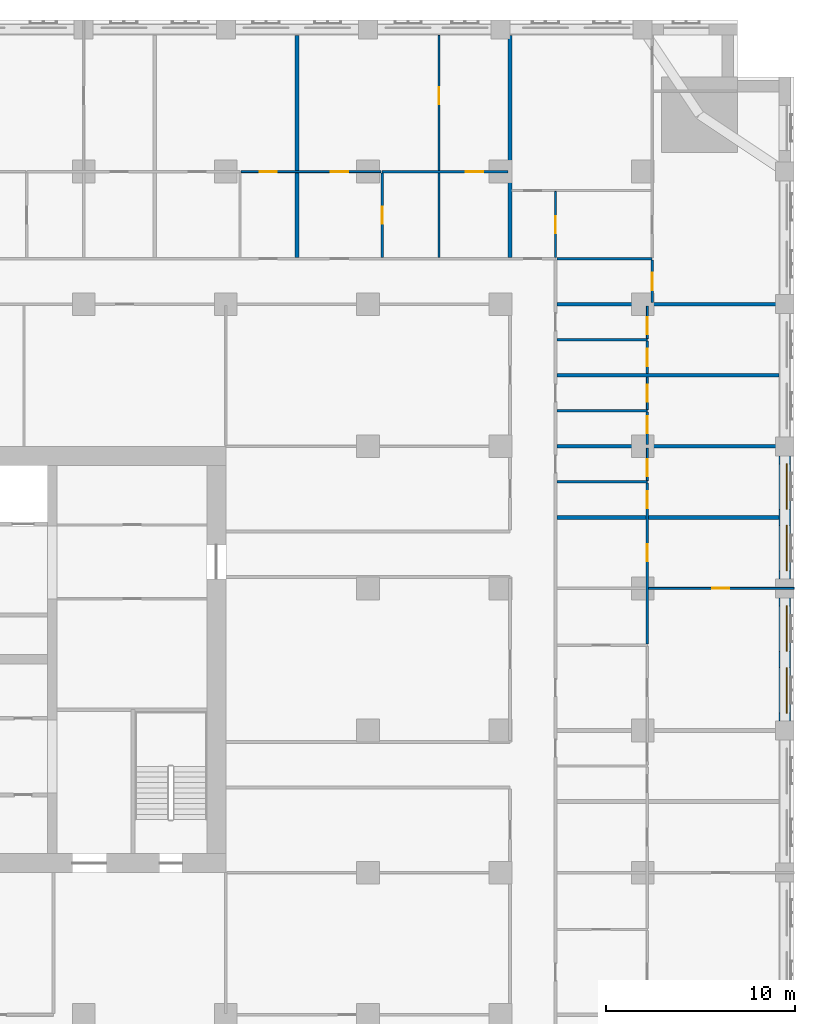
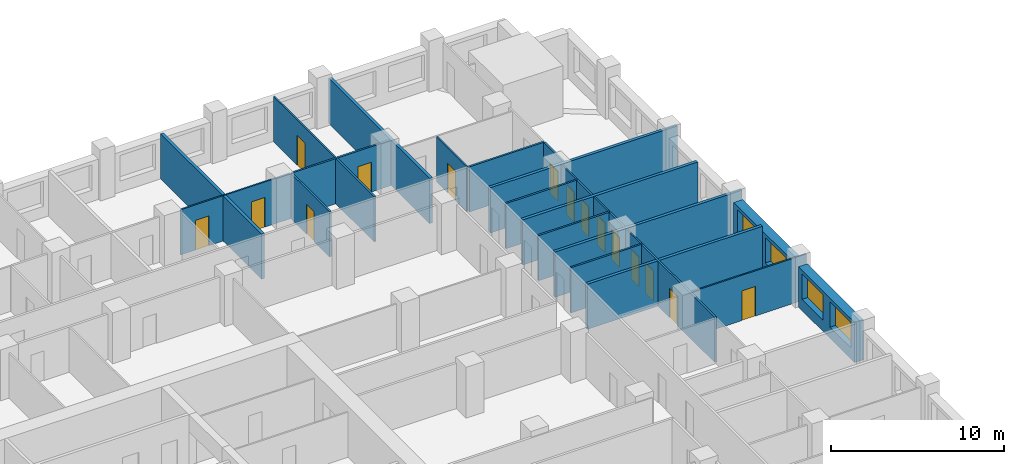
# One storey, part 10 of 14: 26 walls, 15 doors, 4 windows, 19 openings.
"""IFC4 building model written with IfcOpenShell, lengths in metres."""

import ifcopenshell
import ifcopenshell.guid

model = None  # the IFC model being written
_history = None  # IfcOwnerHistory: only IFC2X3 demands one
_inside = {}  # id of a spatial element -> (the spatial element, [elements in it])
_under = {}  # id of a project, library or spatial element -> (it, [spatial elements below it])
_declared = {}  # id of a project -> (the project, [libraries it declares])
_typed = {}  # id of a type object -> (the type object, [elements of that type])
_made_of = {}  # id of a material, layer set ... -> (it, [elements and type objects made of it])


def new_model(schema):
    """Start an empty IFC model of exactly this schema.

    Asked for "IFC4X3", IfcOpenShell would pick the latest addendum, in which some entities
    have other attributes; the version numbers below select the first issue.
    IFC2X3 requires an IfcOwnerHistory on every rooted entity: one is made here for all.
    """
    global model, _history
    if schema == "IFC4X3":
        model = ifcopenshell.file(schema_version=(4, 3, 0, 0))
    else:
        model = ifcopenshell.file(schema=schema)
    _inside.clear()
    _under.clear()
    _declared.clear()
    _typed.clear()
    _made_of.clear()
    _history = None
    if model.schema == "IFC2X3":
        org = make("IfcOrganization", Name="unknown")
        user = make(
            "IfcPersonAndOrganization",
            ThePerson=make("IfcPerson", FamilyName="unknown"),
            TheOrganization=org,
        )
        app = make(
            "IfcApplication",
            ApplicationDeveloper=org,
            Version="unknown",
            ApplicationFullName="unknown",
            ApplicationIdentifier="unknown",
        )
        _history = make(
            "IfcOwnerHistory",
            OwningUser=user,
            OwningApplication=app,
            ChangeAction="ADDED",
            CreationDate=0,
        )
    return model


def make(cls, **values):
    """One entity of the class cls with the attributes given. An attribute that is None is left unset."""
    return model.create_entity(
        cls, **{name: value for name, value in values.items() if value is not None}
    )


def rooted(cls, **values):
    """An entity with a GlobalId (a new one), such as an element, a storey or a relation."""
    return make(cls, GlobalId=ifcopenshell.guid.new(), OwnerHistory=_history, **values)


def si_unit(unit_type, name, prefix=None):
    """IfcSIUnit, for example si_unit("LENGTHUNIT", "METRE", prefix="MILLI")."""
    return make("IfcSIUnit", UnitType=unit_type, Prefix=prefix, Name=name)


def assignment(units):
    """IfcUnitAssignment: the units of a project."""
    return None if units is None else make("IfcUnitAssignment", Units=units)


def point(xyz):
    """IfcCartesianPoint."""
    return None if xyz is None else make("IfcCartesianPoint", Coordinates=xyz)


def direction(xyz):
    """IfcDirection."""
    return None if xyz is None else make("IfcDirection", DirectionRatios=xyz)


def frame(location, z_axis=None, x_axis=None):
    """IfcAxis2Placement3D, a coordinate frame: its origin and axes. An axis left out is left unset."""
    return make(
        "IfcAxis2Placement3D",
        Location=point(location),
        Axis=direction(z_axis),
        RefDirection=direction(x_axis),
    )


def frame_2d(location, x_axis=None):
    """IfcAxis2Placement2D, a coordinate frame in the plane: its origin and x axis."""
    return make(
        "IfcAxis2Placement2D", Location=point(location), RefDirection=direction(x_axis)
    )


def origin():
    """The frame at (0, 0, 0) with its axes left unset."""
    return frame((0.0, 0.0, 0.0))


def place(relative_to, where):
    """IfcLocalPlacement: puts the frame where relative to a parent placement (None: the world)."""
    return make(
        "IfcLocalPlacement", PlacementRelTo=relative_to, RelativePlacement=where
    )


def context(
    kind, dimensions, precision=None, world=None, true_north=None, identifier=None
):
    """IfcGeometricRepresentationContext, for example the 3D "Model" context."""
    return make(
        "IfcGeometricRepresentationContext",
        ContextIdentifier=identifier,
        ContextType=kind,
        CoordinateSpaceDimension=dimensions,
        Precision=precision,
        WorldCoordinateSystem=world,
        TrueNorth=true_north,
    )


def subcontext(parent, identifier, kind, view, scale=None):
    """IfcGeometricRepresentationSubContext, for example "Body" below "Model"."""
    return make(
        "IfcGeometricRepresentationSubContext",
        ContextIdentifier=identifier,
        ContextType=kind,
        ParentContext=parent,
        TargetScale=scale,
        TargetView=view,
    )


def project(units=None, contexts=None):
    """IfcProject with its units and contexts."""
    return rooted(
        "IfcProject",
        Name="project",
        RepresentationContexts=contexts,
        UnitsInContext=assignment(units),
    )


def spatial(cls, under=None, at=None, **own):
    """A site, building, storey or space (cls), placed at a placement, below another one or the project."""
    s = rooted(cls, ObjectPlacement=at, **own)
    if under is not None:
        _under.setdefault(under.id(), (under, []))[1].append(s)
    return s


def profile(cls, at=None, kind="AREA", **sizes):
    """A parametric profile (cls). Its sizes go by their IFC names, for example OverallWidth=200.0."""
    return make(cls, ProfileType=kind, Position=at, **sizes)


def rectangle(**sizes):
    """IfcRectangleProfileDef."""
    return profile("IfcRectangleProfileDef", **sizes)


def extrude(swept, where, along, depth):
    """IfcExtrudedAreaSolid: the profile swept, set in the frame where, extruded along a direction by depth."""
    return make(
        "IfcExtrudedAreaSolid",
        SweptArea=swept,
        Position=where,
        ExtrudedDirection=direction(along),
        Depth=depth,
    )


def shape(context_of_items, identifier, shape_type, items):
    """IfcShapeRepresentation: the items that make up one representation, for example the "Body"."""
    return make(
        "IfcShapeRepresentation",
        ContextOfItems=context_of_items,
        RepresentationIdentifier=identifier,
        RepresentationType=shape_type,
        Items=items,
    )


def material(Name=None, Category=None):
    """IfcMaterial."""
    return make("IfcMaterial", Name=Name, Category=Category)


def layer(
    of_material, thickness, ventilated=None, Name=None, Category=None, Priority=None
):
    """IfcMaterialLayer: one layer of a wall or slab, of a material (None: an air gap)."""
    return make(
        "IfcMaterialLayer",
        Material=of_material,
        LayerThickness=thickness,
        IsVentilated=ventilated,
        Name=Name,
        Category=Category,
        Priority=Priority,
    )


def layer_set(layers, Name=None):
    """IfcMaterialLayerSet."""
    return make("IfcMaterialLayerSet", MaterialLayers=layers, LayerSetName=Name)


def made_of(thing, what):
    """Note that an element or type object is made of a material, layer set ...; save() writes the relation."""
    if what is not None:
        _made_of.setdefault(what.id(), (what, []))[1].append(thing)
    return thing


def type_object(cls, material=None, **own):
    """A type object (cls), such as IfcWallType, which elements share."""
    return made_of(rooted(cls, **own), material)


def element(
    cls,
    number,
    at=None,
    inside=None,
    cuts=None,
    type_object=None,
    material=None,
    context=None,
    identifier="Body",
    shape_type=None,
    held_by="IfcProductDefinitionShape",
    body=None,
    shapes=None,
    **own,
):
    """One element of the class cls, such as IfcWall. Its Tag is "e" and its number.

    at: its placement. inside: the storey or other place that contains it. cuts: it is an
    opening in that element (IfcRelVoidsElement). A single representation is given by context,
    identifier, shape_type and body (its items); several are given by shapes. held_by: the class
    of the entity that holds the representations. save() writes the other relations.
    """
    e = rooted(cls, Tag="e%d" % number, ObjectPlacement=at, **own)
    if body is not None:
        shapes = [shape(context, identifier, shape_type, body)]
    if shapes is not None:
        e.Representation = make(held_by, Representations=shapes)
    if inside is not None:
        _inside.setdefault(inside.id(), (inside, []))[1].append(e)
    if cuts is not None:
        rooted(
            "IfcRelVoidsElement", RelatingBuildingElement=cuts, RelatedOpeningElement=e
        )
    if type_object is not None:
        _typed.setdefault(type_object.id(), (type_object, []))[1].append(e)
    return made_of(e, material)


def fill(opening, filler):
    """IfcRelFillsElement: the door or window that sits in an opening."""
    return rooted(
        "IfcRelFillsElement",
        RelatingOpeningElement=opening,
        RelatedBuildingElement=filler,
    )


def aggregate(whole, parts):
    """IfcRelAggregates: a whole, such as a stair, and the parts it consists of."""
    return rooted("IfcRelAggregates", RelatingObject=whole, RelatedObjects=parts)


def save(model, path):
    """Write the relations noted so far, then the file.

    IfcRelAggregates (storeys below a building ...), IfcRelContainedInSpatialStructure (elements
    in a storey), IfcRelDefinesByType, IfcRelAssociatesMaterial and IfcRelDeclares: one each for
    every whole, place, type object, material and project.
    """
    for whole, parts in _under.values():
        aggregate(whole, parts)
    for where, things in _inside.values():
        rooted(
            "IfcRelContainedInSpatialStructure",
            RelatedElements=things,
            RelatingStructure=where,
        )
    for kind, things in _typed.values():
        rooted("IfcRelDefinesByType", RelatedObjects=things, RelatingType=kind)
    for what, things in _made_of.values():
        rooted("IfcRelAssociatesMaterial", RelatedObjects=things, RelatingMaterial=what)
    for by, libraries in _declared.values():
        rooted("IfcRelDeclares", RelatingContext=by, RelatedDefinitions=libraries)
    model.write(path)


model = new_model("IFC4")

# Units and contexts
model_context = context("Model", 3, precision=1e-05, world=origin(), true_north=direction((0.0, 1.0)))
body_context = subcontext(model_context, "Body", "Model", "MODEL_VIEW")
ifc_project = project(units=[si_unit("LENGTHUNIT", "METRE"), si_unit("AREAUNIT", "SQUARE_METRE"), si_unit("VOLUMEUNIT", "CUBIC_METRE"), si_unit("PLANEANGLEUNIT", "RADIAN"), si_unit("MASSUNIT", "GRAM", prefix="KILO")], contexts=[model_context])

# Site, building, storey
site_placement = place(None, origin())
site = spatial("IfcSite", under=ifc_project, at=site_placement, CompositionType="ELEMENT")
building_placement = place(site_placement, origin())
building = spatial("IfcBuilding", under=site, at=building_placement, Name="Tamorin Gate", CompositionType="ELEMENT")
storey_placement = place(building_placement, frame((0.0, 0.0, 70.0)))
storey = spatial("IfcBuildingStorey", under=building, at=storey_placement, Name="L16", CompositionType="ELEMENT", Elevation=70.0)

# Wall, openings, windows
ifc_material_1 = material(Name="Precast concrete C40/50", Category="concrete")
ifc_layer_1 = layer(ifc_material_1, 0.60009765625)
ifc_layer_set_1 = layer_set([ifc_layer_1], Name="Precast concrete C40/50")
wall_type_1 = type_object("IfcWallType", Name="Board-marked concrete facade panel 600", PredefinedType="SOLIDWALL", material=ifc_layer_set_1)
wall_1_placement = place(storey_placement, frame((89.5, 68.0, 0.0), z_axis=(0.0, 0.0, 1.0), x_axis=(0.0, 1.0, 0.0)))
wall_1 = element("IfcWall", 1, at=wall_1_placement, inside=storey, type_object=wall_type_1, Name="Facade panel", PredefinedType="SOLIDWALL", context=body_context, shape_type="SweptSolid", body=[
    extrude(rectangle(XDim=6.5, YDim=0.60009765625, at=frame_2d((3.25, 0.0))), origin(), (0.0, 0.0, 1.0), 2.85009765625),
])
opening_1_placement = place(wall_1_placement, frame((0.425048828125, 0.0, 0.800048828125)))
opening_1 = element("IfcOpeningElement", 2, at=opening_1_placement, cuts=wall_1, Name="Opening WN1", PredefinedType="OPENING", context=body_context, shape_type="SweptSolid", body=[
    extrude(rectangle(XDim=2.39990234375, YDim=1.800048828125, at=frame_2d((1.199951171875, 0.89990234375))), frame((0.0, 0.31005859375, 0.0), z_axis=(0.0, -1.0, 0.0), x_axis=(1.0, 0.0, 0.0)), (0.0, 0.0, 1.0), 0.6201171875),
])
opening_2_placement = place(wall_1_placement, frame((3.675048828125, 0.0, 0.800048828125)))
opening_2 = element("IfcOpeningElement", 3, at=opening_2_placement, cuts=wall_1, Name="Opening WN1", PredefinedType="OPENING", context=body_context, shape_type="SweptSolid", body=[
    extrude(rectangle(XDim=2.39990234375, YDim=1.800048828125, at=frame_2d((1.199951171875, 0.89990234375))), frame((0.0, 0.31005859375, 0.0), z_axis=(0.0, -1.0, 0.0), x_axis=(1.0, 0.0, 0.0)), (0.0, 0.0, 1.0), 0.6201171875),
])
ifc_material_2 = material(Name="Clear glass in aluminium frame", Category="aluminium")
window_type = type_object("IfcWindowType", Name="Deep-set window 2400x1800", PartitioningType="SINGLE_PANEL", PredefinedType="WINDOW", material=ifc_material_2)
window_1_placement = place(opening_1_placement, origin())
window_1 = element("IfcWindow", 4, at=window_1_placement, inside=storey, type_object=window_type, Name="Deep-set window", OverallHeight=1.800048828125, OverallWidth=2.39990234375, PartitioningType="SINGLE_PANEL", PredefinedType="WINDOW", context=body_context, shape_type="SweptSolid", body=[
    extrude(rectangle(XDim=2.39990234375, YDim=1.800048828125, at=frame_2d((1.199951171875, 0.89990234375))), frame((0.0, -0.070068359375, 0.0), z_axis=(0.0, -1.0, 0.0), x_axis=(1.0, 0.0, 0.0)), (0.0, 0.0, 1.0), 0.06005859375),
])
fill(opening_1, window_1)
window_2_placement = place(opening_2_placement, origin())
window_2 = element("IfcWindow", 5, at=window_2_placement, inside=storey, type_object=window_type, Name="Deep-set window", OverallHeight=1.800048828125, OverallWidth=2.39990234375, PartitioningType="SINGLE_PANEL", PredefinedType="WINDOW", context=body_context, shape_type="SweptSolid", body=[
    extrude(rectangle(XDim=2.39990234375, YDim=1.800048828125, at=frame_2d((1.199951171875, 0.89990234375))), frame((0.0, -0.070068359375, 0.0), z_axis=(0.0, -1.0, 0.0), x_axis=(1.0, 0.0, 0.0)), (0.0, 0.0, 1.0), 0.06005859375),
])
fill(opening_2, window_2)

wall_2_placement = place(storey_placement, frame((89.5, 75.5, 0.0), z_axis=(0.0, 0.0, 1.0), x_axis=(0.0, 1.0, 0.0)))
wall_2 = element("IfcWall", 6, at=wall_2_placement, inside=storey, type_object=wall_type_1, Name="Facade panel", PredefinedType="SOLIDWALL", context=body_context, shape_type="SweptSolid", body=[
    extrude(rectangle(XDim=6.5, YDim=0.60009765625, at=frame_2d((3.25, 0.0))), origin(), (0.0, 0.0, 1.0), 2.85009765625),
])
opening_3_placement = place(wall_2_placement, frame((0.425048828125, 0.0, 0.800048828125)))
opening_3 = element("IfcOpeningElement", 7, at=opening_3_placement, cuts=wall_2, Name="Opening WN1", PredefinedType="OPENING", context=body_context, shape_type="SweptSolid", body=[
    extrude(rectangle(XDim=2.39990234375, YDim=1.800048828125, at=frame_2d((1.199951171875, 0.89990234375))), frame((0.0, 0.31005859375, 0.0), z_axis=(0.0, -1.0, 0.0), x_axis=(1.0, 0.0, 0.0)), (0.0, 0.0, 1.0), 0.6201171875),
])
opening_4_placement = place(wall_2_placement, frame((3.675048828125, 0.0, 0.800048828125)))
opening_4 = element("IfcOpeningElement", 8, at=opening_4_placement, cuts=wall_2, Name="Opening WN1", PredefinedType="OPENING", context=body_context, shape_type="SweptSolid", body=[
    extrude(rectangle(XDim=2.39990234375, YDim=1.800048828125, at=frame_2d((1.199951171875, 0.89990234375))), frame((0.0, 0.31005859375, 0.0), z_axis=(0.0, -1.0, 0.0), x_axis=(1.0, 0.0, 0.0)), (0.0, 0.0, 1.0), 0.6201171875),
])
window_3_placement = place(opening_3_placement, origin())
window_3 = element("IfcWindow", 9, at=window_3_placement, inside=storey, type_object=window_type, Name="Deep-set window", OverallHeight=1.800048828125, OverallWidth=2.39990234375, PartitioningType="SINGLE_PANEL", PredefinedType="WINDOW", context=body_context, shape_type="SweptSolid", body=[
    extrude(rectangle(XDim=2.39990234375, YDim=1.800048828125, at=frame_2d((1.199951171875, 0.89990234375))), frame((0.0, -0.070068359375, 0.0), z_axis=(0.0, -1.0, 0.0), x_axis=(1.0, 0.0, 0.0)), (0.0, 0.0, 1.0), 0.06005859375),
])
fill(opening_3, window_3)
window_4_placement = place(opening_4_placement, origin())
window_4 = element("IfcWindow", 10, at=window_4_placement, inside=storey, type_object=window_type, Name="Deep-set window", OverallHeight=1.800048828125, OverallWidth=2.39990234375, PartitioningType="SINGLE_PANEL", PredefinedType="WINDOW", context=body_context, shape_type="SweptSolid", body=[
    extrude(rectangle(XDim=2.39990234375, YDim=1.800048828125, at=frame_2d((1.199951171875, 0.89990234375))), frame((0.0, -0.070068359375, 0.0), z_axis=(0.0, -1.0, 0.0), x_axis=(1.0, 0.0, 0.0)), (0.0, 0.0, 1.0), 0.06005859375),
])
fill(opening_4, window_4)

# Walls
ifc_material_3 = material(Name="Gypsum board partition")
ifc_layer_2 = layer(ifc_material_3, 0.199951171875)
ifc_layer_set_2 = layer_set([ifc_layer_2], Name="Demising wall 200")
wall_type_2 = type_object("IfcWallType", Name="Demising wall 200", PredefinedType="PARTITIONING", material=ifc_layer_set_2)
wall_3_placement = place(storey_placement, frame((77.47509765625, 78.75, 0.0), z_axis=(0.0, 0.0, 1.0), x_axis=(1.0, 0.0, 0.0)))
element("IfcWall", 11, at=wall_3_placement, inside=storey, type_object=wall_type_2, Name="Demising wall 200", PredefinedType="PARTITIONING", context=body_context, shape_type="SweptSolid", body=[
    extrude(rectangle(XDim=11.71484375, YDim=0.199951171875, at=frame_2d((5.857421875, 0.0))), origin(), (0.0, 0.0, 1.0), 3.199951171875),
])
wall_4_placement = place(storey_placement, frame((77.47509765625, 82.5, 0.0), z_axis=(0.0, 0.0, 1.0), x_axis=(1.0, 0.0, 0.0)))
element("IfcWall", 12, at=wall_4_placement, inside=storey, type_object=wall_type_2, Name="Demising wall 200", PredefinedType="PARTITIONING", context=body_context, shape_type="SweptSolid", body=[
    extrude(rectangle(XDim=12.52490234375, YDim=0.199951171875, at=frame_2d((6.262451171875, 0.0))), origin(), (0.0, 0.0, 1.0), 3.199951171875),
])
wall_5_placement = place(storey_placement, frame((77.47509765625, 86.25, 0.0), z_axis=(0.0, 0.0, 1.0), x_axis=(1.0, 0.0, 0.0)))
element("IfcWall", 13, at=wall_5_placement, inside=storey, type_object=wall_type_2, Name="Demising wall 200", PredefinedType="PARTITIONING", context=body_context, shape_type="SweptSolid", body=[
    extrude(rectangle(XDim=11.71484375, YDim=0.199951171875, at=frame_2d((5.857421875, 0.0))), origin(), (0.0, 0.0, 1.0), 3.199951171875),
])
wall_6_placement = place(storey_placement, frame((77.47509765625, 90.0, 0.0), z_axis=(0.0, 0.0, 1.0), x_axis=(1.0, 0.0, 0.0)))
element("IfcWall", 14, at=wall_6_placement, inside=storey, type_object=wall_type_2, Name="Demising wall 200", PredefinedType="PARTITIONING", context=body_context, shape_type="SweptSolid", body=[
    extrude(rectangle(XDim=12.52490234375, YDim=0.199951171875, at=frame_2d((6.262451171875, 0.0))), origin(), (0.0, 0.0, 1.0), 3.199951171875),
])
for number, where, z_axis, x_axis, name in (
    (15, (63.75, 92.47509765625, 0.0), (0.0, 0.0, 1.0), (0.0, 1.0, 0.0), "Demising wall 200"),
    (16, (75.0, 92.47509765625, 0.0), (0.0, 0.0, 1.0), (0.0, 1.0, 0.0), "Demising wall 200"),
):
    element("IfcWall", number, at=place(storey_placement, frame(where, z_axis=z_axis, x_axis=x_axis)), inside=storey, type_object=wall_type_2, Name=name, PredefinedType="PARTITIONING", context=body_context, shape_type="SweptSolid", body=[
        extrude(rectangle(XDim=11.71484375, YDim=0.199951171875, at=frame_2d((5.857421875, 0.0))), origin(), (0.0, 0.0, 1.0), 3.199951171875),
    ])

# Wall, opening, door
ifc_layer_3 = layer(ifc_material_3, 0.10009765625)
ifc_layer_set_3 = layer_set([ifc_layer_3], Name="Room partition 100")
wall_type_3 = type_object("IfcWallType", Name="Room partition 100", PredefinedType="PARTITIONING", material=ifc_layer_set_3)
wall_7_placement = place(storey_placement, frame((82.3125, 75.0, 0.0), z_axis=(0.0, 0.0, 1.0), x_axis=(1.0, 0.0, 0.0)))
wall_7 = element("IfcWall", 17, at=wall_7_placement, inside=storey, type_object=wall_type_3, Name="Room partition 100", PredefinedType="PARTITIONING", context=body_context, shape_type="SweptSolid", body=[
    extrude(rectangle(XDim=7.6875, YDim=0.10009765625, at=frame_2d((3.84375, 0.0))), origin(), (0.0, 0.0, 1.0), 3.199951171875),
])
opening_5_placement = place(wall_7_placement, frame((3.362548828125, 0.0, 0.0)))
opening_5 = element("IfcOpeningElement", 18, at=opening_5_placement, cuts=wall_7, Name="Opening DH3051", PredefinedType="OPENING", context=body_context, shape_type="SweptSolid", body=[
    extrude(rectangle(XDim=0.89990234375, YDim=2.10009765625, at=frame_2d((0.449951171875, 1.050048828125))), frame((0.0, 0.06005859375, 0.0), z_axis=(0.0, -1.0, 0.0), x_axis=(1.0, 0.0, 0.0)), (0.0, 0.0, 1.0), 0.1201171875),
])
ifc_material_4 = material(Name="Timber door leaf", Category="wood")
door_type = type_object("IfcDoorType", Name="Door 900 x 2100", OperationType="NOTDEFINED", PredefinedType="DOOR", material=ifc_material_4)
door_1_placement = place(opening_5_placement, origin())
door_1 = element("IfcDoor", 19, at=door_1_placement, inside=storey, type_object=door_type, Name="Door DH3051", OperationType="SINGLE_SWING_RIGHT", OverallHeight=2.10009765625, OverallWidth=0.89990234375, PredefinedType="DOOR", context=body_context, shape_type="SweptSolid", body=[
    extrude(rectangle(XDim=0.89990234375, YDim=2.10009765625, at=frame_2d((0.449951171875, 1.050048828125))), frame((0.0, 0.02490234375, 0.0), z_axis=(0.0, -1.0, 0.0), x_axis=(1.0, 0.0, 0.0)), (0.0, 0.0, 1.0), 0.050048828125),
])
fill(opening_5, door_1)

# Wall, openings, doors
wall_8_placement = place(storey_placement, frame((60.8125, 97.0, 0.0), z_axis=(0.0, 0.0, 1.0), x_axis=(1.0, 0.0, 0.0)))
wall_8 = element("IfcWall", 20, at=wall_8_placement, inside=storey, type_object=wall_type_3, Name="Room partition 100", PredefinedType="PARTITIONING", context=body_context, shape_type="SweptSolid", body=[
    extrude(rectangle(XDim=7.375, YDim=0.10009765625, at=frame_2d((3.6875, 0.0))), origin(), (0.0, 0.0, 1.0), 3.199951171875),
])
opening_6_placement = place(wall_8_placement, frame((0.987548828125, 0.0, 0.0)))
opening_6 = element("IfcOpeningElement", 21, at=opening_6_placement, cuts=wall_8, Name="Opening DH3033", PredefinedType="OPENING", context=body_context, shape_type="SweptSolid", body=[
    extrude(rectangle(XDim=0.89990234375, YDim=2.10009765625, at=frame_2d((0.449951171875, 1.050048828125))), frame((0.0, 0.06005859375, 0.0), z_axis=(0.0, -1.0, 0.0), x_axis=(1.0, 0.0, 0.0)), (0.0, 0.0, 1.0), 0.1201171875),
])
opening_7_placement = place(wall_8_placement, frame((4.737548828125, 0.0, 0.0)))
opening_7 = element("IfcOpeningElement", 22, at=opening_7_placement, cuts=wall_8, Name="Opening DH3035", PredefinedType="OPENING", context=body_context, shape_type="SweptSolid", body=[
    extrude(rectangle(XDim=0.89990234375, YDim=2.10009765625, at=frame_2d((0.449951171875, 1.050048828125))), frame((0.0, 0.06005859375, 0.0), z_axis=(0.0, -1.0, 0.0), x_axis=(1.0, 0.0, 0.0)), (0.0, 0.0, 1.0), 0.1201171875),
])
door_2_placement = place(opening_6_placement, origin())
door_2 = element("IfcDoor", 23, at=door_2_placement, inside=storey, type_object=door_type, Name="Door DH3033", OperationType="SINGLE_SWING_RIGHT", OverallHeight=2.10009765625, OverallWidth=0.89990234375, PredefinedType="DOOR", context=body_context, shape_type="SweptSolid", body=[
    extrude(rectangle(XDim=0.89990234375, YDim=2.10009765625, at=frame_2d((0.449951171875, 1.050048828125))), frame((0.0, 0.02490234375, 0.0), z_axis=(0.0, -1.0, 0.0), x_axis=(1.0, 0.0, 0.0)), (0.0, 0.0, 1.0), 0.050048828125),
])
fill(opening_6, door_2)
door_3_placement = place(opening_7_placement, origin())
door_3 = element("IfcDoor", 24, at=door_3_placement, inside=storey, type_object=door_type, Name="Door DH3035", OperationType="SINGLE_SWING_RIGHT", OverallHeight=2.10009765625, OverallWidth=0.89990234375, PredefinedType="DOOR", context=body_context, shape_type="SweptSolid", body=[
    extrude(rectangle(XDim=0.89990234375, YDim=2.10009765625, at=frame_2d((0.449951171875, 1.050048828125))), frame((0.0, 0.02490234375, 0.0), z_axis=(0.0, -1.0, 0.0), x_axis=(1.0, 0.0, 0.0)), (0.0, 0.0, 1.0), 0.050048828125),
])
fill(opening_7, door_3)

# Wall, opening, door
wall_9_placement = place(storey_placement, frame((71.25, 97.0625, 0.0), z_axis=(0.0, 0.0, 1.0), x_axis=(0.0, 1.0, 0.0)))
wall_9 = element("IfcWall", 25, at=wall_9_placement, inside=storey, type_object=wall_type_3, Name="Room partition 100", PredefinedType="PARTITIONING", context=body_context, shape_type="SweptSolid", body=[
    extrude(rectangle(XDim=7.12744140625, YDim=0.10009765625, at=frame_2d((3.563720703125, 0.0))), origin(), (0.0, 0.0, 1.0), 3.199951171875),
])
opening_8_placement = place(wall_9_placement, frame((3.487548828125, 0.0, 0.0)))
opening_8 = element("IfcOpeningElement", 26, at=opening_8_placement, cuts=wall_9, Name="Opening DH3038", PredefinedType="OPENING", context=body_context, shape_type="SweptSolid", body=[
    extrude(rectangle(XDim=0.89990234375, YDim=2.10009765625, at=frame_2d((0.449951171875, 1.050048828125))), frame((0.0, 0.06005859375, 0.0), z_axis=(0.0, -1.0, 0.0), x_axis=(1.0, 0.0, 0.0)), (0.0, 0.0, 1.0), 0.1201171875),
])
door_4_placement = place(opening_8_placement, origin())
door_4 = element("IfcDoor", 27, at=door_4_placement, inside=storey, type_object=door_type, Name="Door DH3038", OperationType="SINGLE_SWING_LEFT", OverallHeight=2.10009765625, OverallWidth=0.89990234375, PredefinedType="DOOR", context=body_context, shape_type="SweptSolid", body=[
    extrude(rectangle(XDim=0.89990234375, YDim=2.10009765625, at=frame_2d((0.449951171875, 1.050048828125))), frame((0.0, 0.02490234375, 0.0), z_axis=(0.0, -1.0, 0.0), x_axis=(1.0, 0.0, 0.0)), (0.0, 0.0, 1.0), 0.050048828125),
])
fill(opening_8, door_4)

wall_10_placement = place(storey_placement, frame((77.39990234375, 92.47509765625, 0.0), z_axis=(0.0, 0.0, 1.0), x_axis=(0.0, 1.0, 0.0)))
wall_10 = element("IfcWall", 28, at=wall_10_placement, inside=storey, type_object=wall_type_3, Name="Room partition 100", PredefinedType="PARTITIONING", context=body_context, shape_type="SweptSolid", body=[
    extrude(rectangle(XDim=3.474853515625, YDim=0.10009765625, at=frame_2d((1.7373046875, 0.0))), origin(), (0.0, 0.0, 1.0), 3.199951171875),
])
opening_9_placement = place(wall_10_placement, frame((1.27490234375, 0.0, 0.0)))
opening_9 = element("IfcOpeningElement", 29, at=opening_9_placement, cuts=wall_10, Name="Opening DH3069", PredefinedType="OPENING", context=body_context, shape_type="SweptSolid", body=[
    extrude(rectangle(XDim=0.89990234375, YDim=2.10009765625, at=frame_2d((0.449951171875, 1.050048828125))), frame((0.0, 0.06005859375, 0.0), z_axis=(0.0, -1.0, 0.0), x_axis=(1.0, 0.0, 0.0)), (0.0, 0.0, 1.0), 0.1201171875),
])
door_5_placement = place(opening_9_placement, origin())
door_5 = element("IfcDoor", 30, at=door_5_placement, inside=storey, type_object=door_type, Name="Door DH3069", OperationType="SINGLE_SWING_RIGHT", OverallHeight=2.10009765625, OverallWidth=0.89990234375, PredefinedType="DOOR", context=body_context, shape_type="SweptSolid", body=[
    extrude(rectangle(XDim=0.89990234375, YDim=2.10009765625, at=frame_2d((0.449951171875, 1.050048828125))), frame((0.0, 0.02490234375, 0.0), z_axis=(0.0, -1.0, 0.0), x_axis=(1.0, 0.0, 0.0)), (0.0, 0.0, 1.0), 0.050048828125),
])
fill(opening_9, door_5)

wall_11_placement = place(storey_placement, frame((82.25, 80.6875, 0.0), z_axis=(0.0, 0.0, 1.0), x_axis=(0.0, 1.0, 0.0)))
wall_11 = element("IfcWall", 31, at=wall_11_placement, inside=storey, type_object=wall_type_3, Name="Room partition 100", PredefinedType="PARTITIONING", context=body_context, shape_type="SweptSolid", body=[
    extrude(rectangle(XDim=1.71240234375, YDim=0.10009765625, at=frame_2d((0.856201171875, 0.0))), origin(), (0.0, 0.0, 1.0), 3.199951171875),
])
opening_10_placement = place(wall_11_placement, frame((0.22509765625, 0.0, 0.0)))
opening_10 = element("IfcOpeningElement", 32, at=opening_10_placement, cuts=wall_11, Name="Opening DH3054", PredefinedType="OPENING", context=body_context, shape_type="SweptSolid", body=[
    extrude(rectangle(XDim=0.89990234375, YDim=2.10009765625, at=frame_2d((0.449951171875, 1.050048828125))), frame((0.0, 0.06005859375, 0.0), z_axis=(0.0, -1.0, 0.0), x_axis=(1.0, 0.0, 0.0)), (0.0, 0.0, 1.0), 0.1201171875),
])
door_6_placement = place(opening_10_placement, origin())
door_6 = element("IfcDoor", 33, at=door_6_placement, inside=storey, type_object=door_type, Name="Door DH3054", OperationType="SINGLE_SWING_LEFT", OverallHeight=2.10009765625, OverallWidth=0.89990234375, PredefinedType="DOOR", context=body_context, shape_type="SweptSolid", body=[
    extrude(rectangle(XDim=0.89990234375, YDim=2.10009765625, at=frame_2d((0.449951171875, 1.050048828125))), frame((0.0, 0.02490234375, 0.0), z_axis=(0.0, -1.0, 0.0), x_axis=(1.0, 0.0, 0.0)), (0.0, 0.0, 1.0), 0.050048828125),
])
fill(opening_10, door_6)

wall_12_placement = place(storey_placement, frame((82.25, 84.4375, 0.0), z_axis=(0.0, 0.0, 1.0), x_axis=(0.0, 1.0, 0.0)))
wall_12 = element("IfcWall", 34, at=wall_12_placement, inside=storey, type_object=wall_type_3, Name="Room partition 100", PredefinedType="PARTITIONING", context=body_context, shape_type="SweptSolid", body=[
    extrude(rectangle(XDim=1.71240234375, YDim=0.10009765625, at=frame_2d((0.856201171875, 0.0))), origin(), (0.0, 0.0, 1.0), 3.199951171875),
])
opening_11_placement = place(wall_12_placement, frame((0.425048828125, 0.0, 0.0)))
opening_11 = element("IfcOpeningElement", 35, at=opening_11_placement, cuts=wall_12, Name="Opening DH3057", PredefinedType="OPENING", context=body_context, shape_type="SweptSolid", body=[
    extrude(rectangle(XDim=0.89990234375, YDim=2.10009765625, at=frame_2d((0.449951171875, 1.050048828125))), frame((0.0, 0.06005859375, 0.0), z_axis=(0.0, -1.0, 0.0), x_axis=(1.0, 0.0, 0.0)), (0.0, 0.0, 1.0), 0.1201171875),
])
door_7_placement = place(opening_11_placement, origin())
door_7 = element("IfcDoor", 36, at=door_7_placement, inside=storey, type_object=door_type, Name="Door DH3057", OperationType="SINGLE_SWING_LEFT", OverallHeight=2.10009765625, OverallWidth=0.89990234375, PredefinedType="DOOR", context=body_context, shape_type="SweptSolid", body=[
    extrude(rectangle(XDim=0.89990234375, YDim=2.10009765625, at=frame_2d((0.449951171875, 1.050048828125))), frame((0.0, 0.02490234375, 0.0), z_axis=(0.0, -1.0, 0.0), x_axis=(1.0, 0.0, 0.0)), (0.0, 0.0, 1.0), 0.050048828125),
])
fill(opening_11, door_7)

wall_13_placement = place(storey_placement, frame((82.25, 88.1875, 0.0), z_axis=(0.0, 0.0, 1.0), x_axis=(0.0, 1.0, 0.0)))
wall_13 = element("IfcWall", 37, at=wall_13_placement, inside=storey, type_object=wall_type_3, Name="Room partition 100", PredefinedType="PARTITIONING", context=body_context, shape_type="SweptSolid", body=[
    extrude(rectangle(XDim=1.71240234375, YDim=0.10009765625, at=frame_2d((0.856201171875, 0.0))), origin(), (0.0, 0.0, 1.0), 3.199951171875),
])
opening_12_placement = place(wall_13_placement, frame((0.22509765625, 0.0, 0.0)))
opening_12 = element("IfcOpeningElement", 38, at=opening_12_placement, cuts=wall_13, Name="Opening DH3060", PredefinedType="OPENING", context=body_context, shape_type="SweptSolid", body=[
    extrude(rectangle(XDim=0.89990234375, YDim=2.10009765625, at=frame_2d((0.449951171875, 1.050048828125))), frame((0.0, 0.06005859375, 0.0), z_axis=(0.0, -1.0, 0.0), x_axis=(1.0, 0.0, 0.0)), (0.0, 0.0, 1.0), 0.1201171875),
])
door_8_placement = place(opening_12_placement, origin())
door_8 = element("IfcDoor", 39, at=door_8_placement, inside=storey, type_object=door_type, Name="Door DH3060", OperationType="SINGLE_SWING_LEFT", OverallHeight=2.10009765625, OverallWidth=0.89990234375, PredefinedType="DOOR", context=body_context, shape_type="SweptSolid", body=[
    extrude(rectangle(XDim=0.89990234375, YDim=2.10009765625, at=frame_2d((0.449951171875, 1.050048828125))), frame((0.0, 0.02490234375, 0.0), z_axis=(0.0, -1.0, 0.0), x_axis=(1.0, 0.0, 0.0)), (0.0, 0.0, 1.0), 0.050048828125),
])
fill(opening_12, door_8)

# Walls
ifc_layer_4 = layer(ifc_material_3, 0.125)
ifc_layer_set_4 = layer_set([ifc_layer_4], Name="Wet wall 125")
wall_type_4 = type_object("IfcWallType", Name="Wet wall 125", PredefinedType="PARTITIONING", material=ifc_layer_set_4)
for number, where, z_axis, x_axis, name in (
    (40, (77.47509765625, 80.625, 0.0), (0.0, 0.0, 1.0), (1.0, 0.0, 0.0), "Wet wall 125"),
    (41, (77.47509765625, 84.375, 0.0), (0.0, 0.0, 1.0), (1.0, 0.0, 0.0), "Wet wall 125"),
    (42, (77.47509765625, 88.125, 0.0), (0.0, 0.0, 1.0), (1.0, 0.0, 0.0), "Wet wall 125"),
):
    element("IfcWall", number, at=place(storey_placement, frame(where, z_axis=z_axis, x_axis=x_axis)), inside=storey, type_object=wall_type_4, Name=name, PredefinedType="PARTITIONING", context=body_context, shape_type="SweptSolid", body=[
        extrude(rectangle(XDim=4.77490234375, YDim=0.125, at=frame_2d((2.387451171875, 0.0))), origin(), (0.0, 0.0, 1.0), 3.199951171875),
    ])
wall_14_placement = place(storey_placement, frame((77.47509765625, 92.39990234375, 0.0), z_axis=(0.0, 0.0, 1.0), x_axis=(1.0, 0.0, 0.0)))
element("IfcWall", 43, at=wall_14_placement, inside=storey, type_object=wall_type_4, Name="Wet wall 125", PredefinedType="PARTITIONING", context=body_context, shape_type="SweptSolid", body=[
    extrude(rectangle(XDim=5.02490234375, YDim=0.125, at=frame_2d((2.512451171875, 0.0))), origin(), (0.0, 0.0, 1.0), 3.199951171875),
])

# Wall, opening, door
wall_15_placement = place(storey_placement, frame((68.25, 97.0, 0.0), z_axis=(0.0, 0.0, 1.0), x_axis=(1.0, 0.0, 0.0)))
wall_15 = element("IfcWall", 44, at=wall_15_placement, inside=storey, type_object=wall_type_4, Name="Wet wall 125", PredefinedType="PARTITIONING", context=body_context, shape_type="SweptSolid", body=[
    extrude(rectangle(XDim=6.64990234375, YDim=0.125, at=frame_2d((3.324951171875, 0.0))), origin(), (0.0, 0.0, 1.0), 3.199951171875),
])
opening_13_placement = place(wall_15_placement, frame((4.425048828125, 0.0, 0.0)))
opening_13 = element("IfcOpeningElement", 45, at=opening_13_placement, cuts=wall_15, Name="Opening DH3037", PredefinedType="OPENING", context=body_context, shape_type="SweptSolid", body=[
    extrude(rectangle(XDim=0.89990234375, YDim=2.10009765625, at=frame_2d((0.449951171875, 1.050048828125))), frame((0.0, 0.072509765625, 0.0), z_axis=(0.0, -1.0, 0.0), x_axis=(1.0, 0.0, 0.0)), (0.0, 0.0, 1.0), 0.14501953125),
])
door_9_placement = place(opening_13_placement, origin())
door_9 = element("IfcDoor", 46, at=door_9_placement, inside=storey, type_object=door_type, Name="Door DH3037", OperationType="SINGLE_SWING_RIGHT", OverallHeight=2.10009765625, OverallWidth=0.89990234375, PredefinedType="DOOR", context=body_context, shape_type="SweptSolid", body=[
    extrude(rectangle(XDim=0.89990234375, YDim=2.10009765625, at=frame_2d((0.449951171875, 1.050048828125))), frame((0.0, 0.02490234375, 0.0), z_axis=(0.0, -1.0, 0.0), x_axis=(1.0, 0.0, 0.0)), (0.0, 0.0, 1.0), 0.050048828125),
])
fill(opening_13, door_9)

wall_16_placement = place(storey_placement, frame((68.25, 92.47509765625, 0.0), z_axis=(0.0, 0.0, 1.0), x_axis=(0.0, 1.0, 0.0)))
wall_16 = element("IfcWall", 47, at=wall_16_placement, inside=storey, type_object=wall_type_4, Name="Wet wall 125", PredefinedType="PARTITIONING", context=body_context, shape_type="SweptSolid", body=[
    extrude(rectangle(XDim=4.46240234375, YDim=0.125, at=frame_2d((2.231201171875, 0.0))), origin(), (0.0, 0.0, 1.0), 3.199951171875),
])
opening_14_placement = place(wall_16_placement, frame((1.77490234375, 0.0, 0.0)))
opening_14 = element("IfcOpeningElement", 48, at=opening_14_placement, cuts=wall_16, Name="Opening DH3036", PredefinedType="OPENING", context=body_context, shape_type="SweptSolid", body=[
    extrude(rectangle(XDim=0.89990234375, YDim=2.10009765625, at=frame_2d((0.449951171875, 1.050048828125))), frame((0.0, 0.072509765625, 0.0), z_axis=(0.0, -1.0, 0.0), x_axis=(1.0, 0.0, 0.0)), (0.0, 0.0, 1.0), 0.14501953125),
])
door_10_placement = place(opening_14_placement, origin())
door_10 = element("IfcDoor", 49, at=door_10_placement, inside=storey, type_object=door_type, Name="Door DH3036", OperationType="SINGLE_SWING_LEFT", OverallHeight=2.10009765625, OverallWidth=0.89990234375, PredefinedType="DOOR", context=body_context, shape_type="SweptSolid", body=[
    extrude(rectangle(XDim=0.89990234375, YDim=2.10009765625, at=frame_2d((0.449951171875, 1.050048828125))), frame((0.0, 0.02490234375, 0.0), z_axis=(0.0, -1.0, 0.0), x_axis=(1.0, 0.0, 0.0)), (0.0, 0.0, 1.0), 0.050048828125),
])
fill(opening_14, door_10)

# Wall
wall_17_placement = place(storey_placement, frame((71.25, 92.47509765625, 0.0), z_axis=(0.0, 0.0, 1.0), x_axis=(0.0, 1.0, 0.0)))
element("IfcWall", 50, at=wall_17_placement, inside=storey, type_object=wall_type_4, Name="Wet wall 125", PredefinedType="PARTITIONING", context=body_context, shape_type="SweptSolid", body=[
    extrude(rectangle(XDim=4.46240234375, YDim=0.125, at=frame_2d((2.231201171875, 0.0))), origin(), (0.0, 0.0, 1.0), 3.199951171875),
])

# Wall, openings, doors
wall_18_placement = place(storey_placement, frame((82.25, 72.0625, 0.0), z_axis=(0.0, 0.0, 1.0), x_axis=(0.0, 1.0, 0.0)))
wall_18 = element("IfcWall", 51, at=wall_18_placement, inside=storey, type_object=wall_type_4, Name="Wet wall 125", PredefinedType="PARTITIONING", context=body_context, shape_type="SweptSolid", body=[
    extrude(rectangle(XDim=8.5, YDim=0.125, at=frame_2d((4.25, 0.0))), origin(), (0.0, 0.0, 1.0), 3.199951171875),
])
opening_15_placement = place(wall_18_placement, frame((4.362548828125, 0.0, 0.0)))
opening_15 = element("IfcOpeningElement", 52, at=opening_15_placement, cuts=wall_18, Name="Opening DH3050", PredefinedType="OPENING", context=body_context, shape_type="SweptSolid", body=[
    extrude(rectangle(XDim=0.89990234375, YDim=2.10009765625, at=frame_2d((0.449951171875, 1.050048828125))), frame((0.0, 0.072509765625, 0.0), z_axis=(0.0, -1.0, 0.0), x_axis=(1.0, 0.0, 0.0)), (0.0, 0.0, 1.0), 0.14501953125),
])
opening_16_placement = place(wall_18_placement, frame((7.175048828125, 0.0, 0.0)))
opening_16 = element("IfcOpeningElement", 53, at=opening_16_placement, cuts=wall_18, Name="Opening DH3052", PredefinedType="OPENING", context=body_context, shape_type="SweptSolid", body=[
    extrude(rectangle(XDim=0.89990234375, YDim=2.10009765625, at=frame_2d((0.449951171875, 1.050048828125))), frame((0.0, 0.072509765625, 0.0), z_axis=(0.0, -1.0, 0.0), x_axis=(1.0, 0.0, 0.0)), (0.0, 0.0, 1.0), 0.14501953125),
])
door_11_placement = place(opening_15_placement, origin())
door_11 = element("IfcDoor", 54, at=door_11_placement, inside=storey, type_object=door_type, Name="Door DH3050", OperationType="SINGLE_SWING_LEFT", OverallHeight=2.10009765625, OverallWidth=0.89990234375, PredefinedType="DOOR", context=body_context, shape_type="SweptSolid", body=[
    extrude(rectangle(XDim=0.89990234375, YDim=2.10009765625, at=frame_2d((0.449951171875, 1.050048828125))), frame((0.0, 0.02490234375, 0.0), z_axis=(0.0, -1.0, 0.0), x_axis=(1.0, 0.0, 0.0)), (0.0, 0.0, 1.0), 0.050048828125),
])
fill(opening_15, door_11)
door_12_placement = place(opening_16_placement, origin())
door_12 = element("IfcDoor", 55, at=door_12_placement, inside=storey, type_object=door_type, Name="Door DH3052", OperationType="SINGLE_SWING_LEFT", OverallHeight=2.10009765625, OverallWidth=0.89990234375, PredefinedType="DOOR", context=body_context, shape_type="SweptSolid", body=[
    extrude(rectangle(XDim=0.89990234375, YDim=2.10009765625, at=frame_2d((0.449951171875, 1.050048828125))), frame((0.0, 0.02490234375, 0.0), z_axis=(0.0, -1.0, 0.0), x_axis=(1.0, 0.0, 0.0)), (0.0, 0.0, 1.0), 0.050048828125),
])
fill(opening_16, door_12)

# Wall, opening, door
wall_19_placement = place(storey_placement, frame((82.25, 82.60009765625, 0.0), z_axis=(0.0, 0.0, 1.0), x_axis=(0.0, 1.0, 0.0)))
wall_19 = element("IfcWall", 56, at=wall_19_placement, inside=storey, type_object=wall_type_4, Name="Wet wall 125", PredefinedType="PARTITIONING", context=body_context, shape_type="SweptSolid", body=[
    extrude(rectangle(XDim=1.71240234375, YDim=0.125, at=frame_2d((0.856201171875, 0.0))), origin(), (0.0, 0.0, 1.0), 3.199951171875),
])
opening_17_placement = place(wall_19_placement, frame((0.58740234375, 0.0, 0.0)))
opening_17 = element("IfcOpeningElement", 57, at=opening_17_placement, cuts=wall_19, Name="Opening DH3055", PredefinedType="OPENING", context=body_context, shape_type="SweptSolid", body=[
    extrude(rectangle(XDim=0.89990234375, YDim=2.10009765625, at=frame_2d((0.449951171875, 1.050048828125))), frame((0.0, 0.072509765625, 0.0), z_axis=(0.0, -1.0, 0.0), x_axis=(1.0, 0.0, 0.0)), (0.0, 0.0, 1.0), 0.14501953125),
])
door_13_placement = place(opening_17_placement, origin())
door_13 = element("IfcDoor", 58, at=door_13_placement, inside=storey, type_object=door_type, Name="Door DH3055", OperationType="SINGLE_SWING_RIGHT", OverallHeight=2.10009765625, OverallWidth=0.89990234375, PredefinedType="DOOR", context=body_context, shape_type="SweptSolid", body=[
    extrude(rectangle(XDim=0.89990234375, YDim=2.10009765625, at=frame_2d((0.449951171875, 1.050048828125))), frame((0.0, 0.02490234375, 0.0), z_axis=(0.0, -1.0, 0.0), x_axis=(1.0, 0.0, 0.0)), (0.0, 0.0, 1.0), 0.050048828125),
])
fill(opening_17, door_13)

wall_20_placement = place(storey_placement, frame((82.25, 86.35009765625, 0.0), z_axis=(0.0, 0.0, 1.0), x_axis=(0.0, 1.0, 0.0)))
wall_20 = element("IfcWall", 59, at=wall_20_placement, inside=storey, type_object=wall_type_4, Name="Wet wall 125", PredefinedType="PARTITIONING", context=body_context, shape_type="SweptSolid", body=[
    extrude(rectangle(XDim=1.71240234375, YDim=0.125, at=frame_2d((0.856201171875, 0.0))), origin(), (0.0, 0.0, 1.0), 3.199951171875),
])
opening_18_placement = place(wall_20_placement, frame((0.387451171875, 0.0, 0.0)))
opening_18 = element("IfcOpeningElement", 60, at=opening_18_placement, cuts=wall_20, Name="Opening DH3058", PredefinedType="OPENING", context=body_context, shape_type="SweptSolid", body=[
    extrude(rectangle(XDim=0.89990234375, YDim=2.10009765625, at=frame_2d((0.449951171875, 1.050048828125))), frame((0.0, 0.072509765625, 0.0), z_axis=(0.0, -1.0, 0.0), x_axis=(1.0, 0.0, 0.0)), (0.0, 0.0, 1.0), 0.14501953125),
])
door_14_placement = place(opening_18_placement, origin())
door_14 = element("IfcDoor", 61, at=door_14_placement, inside=storey, type_object=door_type, Name="Door DH3058", OperationType="SINGLE_SWING_LEFT", OverallHeight=2.10009765625, OverallWidth=0.89990234375, PredefinedType="DOOR", context=body_context, shape_type="SweptSolid", body=[
    extrude(rectangle(XDim=0.89990234375, YDim=2.10009765625, at=frame_2d((0.449951171875, 1.050048828125))), frame((0.0, 0.02490234375, 0.0), z_axis=(0.0, -1.0, 0.0), x_axis=(1.0, 0.0, 0.0)), (0.0, 0.0, 1.0), 0.050048828125),
])
fill(opening_18, door_14)

wall_21_placement = place(storey_placement, frame((82.5, 90.10009765625, 0.0), z_axis=(0.0, 0.0, 1.0), x_axis=(0.0, 1.0, 0.0)))
wall_21 = element("IfcWall", 62, at=wall_21_placement, inside=storey, type_object=wall_type_4, Name="Wet wall 125", PredefinedType="PARTITIONING", context=body_context, shape_type="SweptSolid", body=[
    extrude(rectangle(XDim=2.2373046875, YDim=0.125, at=frame_2d((1.11865234375, 0.0))), origin(), (0.0, 0.0, 1.0), 3.199951171875),
])
opening_19_placement = place(wall_21_placement, frame((0.64990234375, 0.0, 0.0)))
opening_19 = element("IfcOpeningElement", 63, at=opening_19_placement, cuts=wall_21, Name="Opening DH3072", PredefinedType="OPENING", context=body_context, shape_type="SweptSolid", body=[
    extrude(rectangle(XDim=0.89990234375, YDim=2.10009765625, at=frame_2d((0.449951171875, 1.050048828125))), frame((0.0, 0.072509765625, 0.0), z_axis=(0.0, -1.0, 0.0), x_axis=(1.0, 0.0, 0.0)), (0.0, 0.0, 1.0), 0.14501953125),
])
door_15_placement = place(opening_19_placement, origin())
door_15 = element("IfcDoor", 64, at=door_15_placement, inside=storey, type_object=door_type, Name="Door DH3072", OperationType="SINGLE_SWING_LEFT", OverallHeight=2.10009765625, OverallWidth=0.89990234375, PredefinedType="DOOR", context=body_context, shape_type="SweptSolid", body=[
    extrude(rectangle(XDim=0.89990234375, YDim=2.10009765625, at=frame_2d((0.449951171875, 1.050048828125))), frame((0.0, 0.02490234375, 0.0), z_axis=(0.0, -1.0, 0.0), x_axis=(1.0, 0.0, 0.0)), (0.0, 0.0, 1.0), 0.050048828125),
])
fill(opening_19, door_15)

save(model, "model.ifc")
